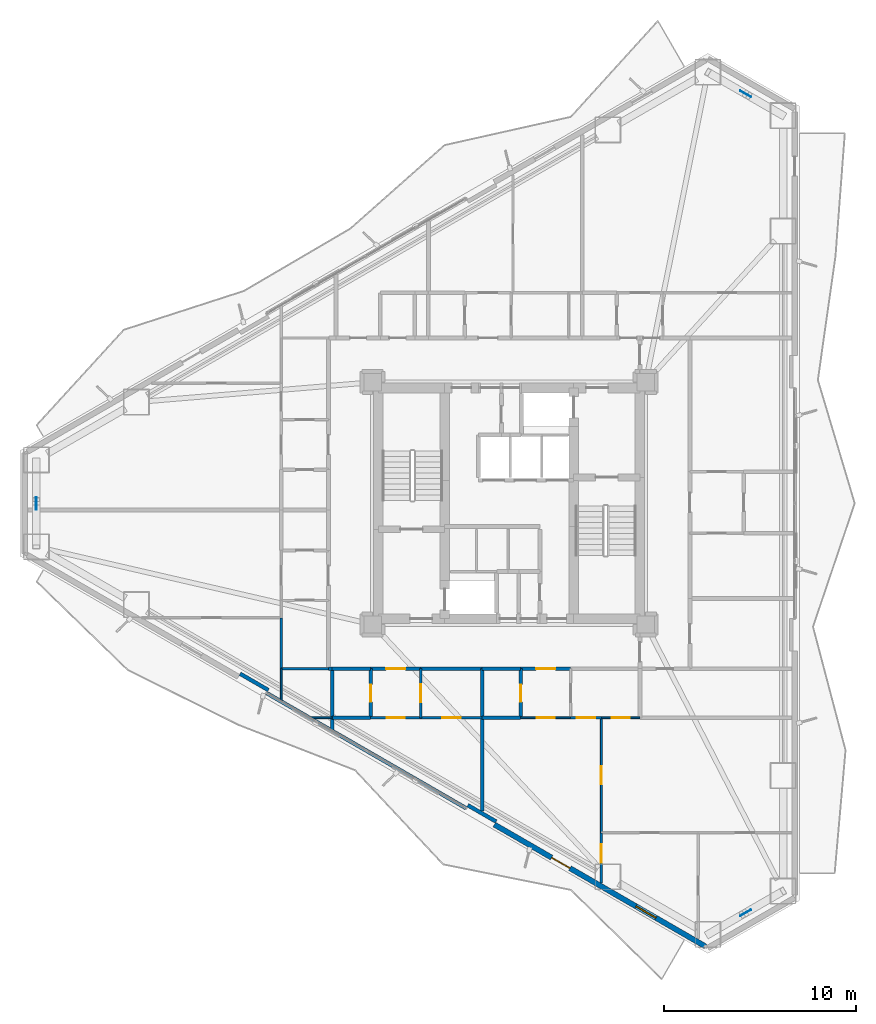
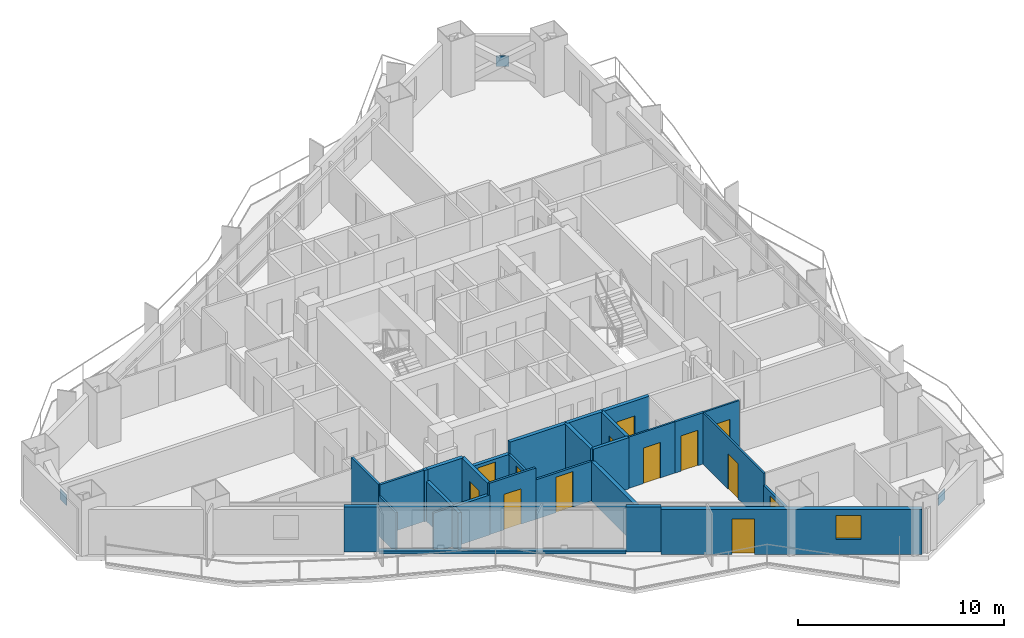
# One storey, part 11 of 18: 29 walls, 13 doors, 3 plates, 1 window, 14 openings.
"""IFC4 building model written with IfcOpenShell, lengths in metres."""

from ifc_helpers import new_model, si_unit, direction, frame, frame_2d, origin, origin_2d, place, context, subcontext, project, spatial, rectangle, extrude, material, layer, layer_set, type_object, element, fill, save


model = new_model("IFC4")

# Units and contexts
model_context = context("Model", 3, precision=1e-05, world=origin(), true_north=direction((0.0, 1.0)))
body_context = subcontext(model_context, "Body", "Model", "MODEL_VIEW")
ifc_project = project(units=[si_unit("LENGTHUNIT", "METRE"), si_unit("AREAUNIT", "SQUARE_METRE"), si_unit("VOLUMEUNIT", "CUBIC_METRE"), si_unit("PLANEANGLEUNIT", "RADIAN"), si_unit("MASSUNIT", "GRAM", prefix="KILO")], contexts=[model_context])

# Site, building, storey
site_placement = place(None, origin())
site = spatial("IfcSite", under=ifc_project, at=site_placement, CompositionType="ELEMENT")
building_placement = place(site_placement, origin())
building = spatial("IfcBuilding", under=site, at=building_placement, Name="Mersakhor Tower and Convention Hall", CompositionType="ELEMENT")
storey_placement = place(building_placement, frame((0.0, 0.0, 52.199951171875)))
storey = spatial("IfcBuildingStorey", under=building, at=storey_placement, Name="L14", CompositionType="ELEMENT", Elevation=52.199951171875)

# Plates
ifc_material_1 = material(Name="Steel S460", Category="steel")
ifc_layer_1 = layer(ifc_material_1, 0.0400390625)
ifc_layer_set_1 = layer_set([ifc_layer_1], Name="Steel S460")
plate_type = type_object("IfcPlateType", Name="PL-GUSSET-40", PredefinedType="SHEET", material=ifc_layer_set_1)
for number, where, z_axis, x_axis, name in (
    (1, (41.29345703125, 48.04296875, 1.2001953125), (0.0, 0.0, 1.0), (-0.866025403784, 0.5, 0.0), "L14 X-Brace Crossing Gusset Node Plate"),
    (2, (41.29345703125, 5.45703125, 1.2001953125), (0.0, 0.0, 1.0), (0.866025403784, 0.5, 0.0), "L14 X-Brace Crossing Gusset Node Plate"),
    (3, (4.4130859375, 26.75, 1.2001953125), (0.0, 0.0, 1.0), (0.0, -1.0, 0.0), "L14 X-Brace Crossing Gusset Node Plate"),
):
    element("IfcPlate", number, at=place(storey_placement, frame(where, z_axis=z_axis, x_axis=x_axis)), inside=storey, type_object=plate_type, Name=name, PredefinedType="SHEET", context=body_context, shape_type="SweptSolid", body=[
        extrude(rectangle(XDim=0.639892578125, YDim=0.0400390625, at=origin_2d()), origin(), (0.0, 0.0, 1.0), 0.639892578125),
    ])

# Wall, openings, door, window
ifc_material_2 = material(Name="Precast concrete C45/55", Category="concrete")
ifc_layer_2 = layer(ifc_material_2, 0.27490234375)
ifc_layer_set_2 = layer_set([ifc_layer_2], Name="Precast concrete C45/55")
wall_type_1 = type_object("IfcWallType", Name="WL-EXT-275", PredefinedType="SOLIDWALL", material=ifc_layer_set_2)
wall_1_placement = place(storey_placement, frame((39.20703125, 3.709716796875, 0.0), z_axis=(0.0, 0.0, 1.0), x_axis=(-0.86603192154, 0.499988710747, 0.0)))
wall_1 = element("IfcWall", 4, at=wall_1_placement, inside=storey, type_object=wall_type_1, Name="L14 Exterior Facade Wall F3-B1", PredefinedType="SOLIDWALL", context=body_context, shape_type="SweptSolid", body=[
    extrude(rectangle(XDim=12.673095703125, YDim=0.27490234375, at=frame_2d((6.33642578125, 0.0))), origin(), (0.0, 0.0, 1.0), 2.66015625),
])
opening_1_placement = place(wall_1_placement, frame((8.135986328125, 0.0, 0.0)))
opening_1 = element("IfcOpeningElement", 5, at=opening_1_placement, cuts=wall_1, Name="Opening BD-02", PredefinedType="OPENING", context=body_context, shape_type="SweptSolid", body=[
    extrude(rectangle(XDim=1.10009765625, YDim=2.10009765625, at=frame_2d((0.550048828125, 1.050048828125))), frame((0.0, 0.1474609375, 0.0), z_axis=(0.0, -1.0, 0.0), x_axis=(1.0, 0.0, 0.0)), (0.0, 0.0, 1.0), 0.294921875),
])
opening_2_placement = place(wall_1_placement, frame((2.970947265625, 0.0, 0.89990234375)))
opening_2 = element("IfcOpeningElement", 6, at=opening_2_placement, cuts=wall_1, Name="Opening W-01", PredefinedType="OPENING", context=body_context, shape_type="SweptSolid", body=[
    extrude(rectangle(XDim=1.199951171875, YDim=1.39990234375, at=frame_2d((0.60009765625, 0.699951171875))), frame((0.0, 0.1474609375, 0.0), z_axis=(0.0, -1.0, 0.0), x_axis=(1.0, 0.0, 0.0)), (0.0, 0.0, 1.0), 0.294921875),
])
ifc_material_3 = material(Name="Thermally broken dark aluminium and safety glass", Category="aluminium")
door_type_1 = type_object("IfcDoorType", Name="DR-BAL-110x210", OperationType="NOTDEFINED", PredefinedType="DOOR", material=ifc_material_3)
door_1_placement = place(opening_1_placement, origin())
door_1 = element("IfcDoor", 7, at=door_1_placement, inside=storey, type_object=door_type_1, Name="L14 Balcony Terrace Door F3-B1", OperationType="SINGLE_SWING_RIGHT", OverallHeight=2.10009765625, OverallWidth=1.10009765625, PredefinedType="DOOR", context=body_context, shape_type="SweptSolid", body=[
    extrude(rectangle(XDim=1.10009765625, YDim=2.10009765625, at=frame_2d((0.550048828125, 1.050048828125))), frame((0.0, 0.02490234375, 0.0), z_axis=(0.0, -1.0, 0.0), x_axis=(1.0, 0.0, 0.0)), (0.0, 0.0, 1.0), 0.050048828125),
])
fill(opening_1, door_1)
ifc_material_4 = material(Name="Dark solar low-E glazed aluminium window", Category="aluminium")
window_type = type_object("IfcWindowType", Name="WN-RES-120x150", PartitioningType="SINGLE_PANEL", PredefinedType="WINDOW", material=ifc_material_4)
window_placement = place(opening_2_placement, origin())
window = element("IfcWindow", 8, at=window_placement, inside=storey, type_object=window_type, Name="L14 Bedroom Facade Window F3-B1-1", OverallHeight=1.39990234375, OverallWidth=1.199951171875, PartitioningType="SINGLE_PANEL", PredefinedType="WINDOW", context=body_context, shape_type="SweptSolid", body=[
    extrude(rectangle(XDim=1.199951171875, YDim=1.39990234375, at=frame_2d((0.60009765625, 0.699951171875))), frame((0.0, 0.030029296875, 0.0), z_axis=(0.0, -1.0, 0.0), x_axis=(1.0, 0.0, 0.0)), (0.0, 0.0, 1.0), 0.06005859375),
])
fill(opening_2, window)

# Walls
ifc_material_5 = material(Name="Precast concrete C40/50", Category="concrete")
ifc_layer_3 = layer(ifc_material_5, 0.199951171875)
ifc_layer_set_3 = layer_set([ifc_layer_3], Name="Precast concrete C40/50")
wall_type_2 = type_object("IfcWallType", Name="WL-PAR-200", PredefinedType="PARAPET", material=ifc_layer_set_3)
wall_2_placement = place(storey_placement, frame((26.759521484375, 10.896240234375, 0.0), z_axis=(0.0, 0.0, 1.0), x_axis=(-0.866027351828, 0.499996625875, 0.0)))
element("IfcWall", 9, at=wall_2_placement, inside=storey, type_object=wall_type_2, Name="L14 Curtain Wall Upstand Sill F3-B2", PredefinedType="PARAPET", context=body_context, shape_type="SweptSolid", body=[
    extrude(rectangle(XDim=11.97314453125, YDim=0.199951171875, at=frame_2d((5.986572265625, 0.0))), origin(), (0.0, 0.0, 1.0), 0.199951171875),
])
for number, where, z_axis, x_axis, name in (
    (10, (28.32177734375, 10.2021484375, 0.0), (0.0, 0.0, 1.0), (-0.86605165483, 0.499954529098, 0.0), "L14 Column Pier Cladding Wall F3-C1"),
    (11, (16.48046875, 17.038818359375, 0.0), (0.0, 0.0, 1.0), (-0.86605165483, 0.499954529098, 0.0), "L14 Column Pier Cladding Wall F3-C2"),
):
    element("IfcWall", number, at=place(storey_placement, frame(where, z_axis=z_axis, x_axis=x_axis)), inside=storey, type_object=wall_type_2, Name=name, PredefinedType="PARAPET", context=body_context, shape_type="SweptSolid", body=[
        extrude(rectangle(XDim=1.699951171875, YDim=0.199951171875, at=frame_2d((0.85009765625, 0.0))), origin(), (0.0, 0.0, 1.0), 2.66015625),
    ])

# Wall, opening, door
ifc_material_6 = material(Name="Moisture-resistant acoustic drywall studwork", Category="other")
ifc_layer_4 = layer(ifc_material_6, 0.175048828125)
ifc_layer_set_4 = layer_set([ifc_layer_4], Name="Moisture-resistant acoustic drywall studwork")
wall_type_3 = type_object("IfcWallType", Name="WL-PLM-175", PredefinedType="PLUMBINGWALL", material=ifc_layer_set_4)
wall_3_placement = place(storey_placement, frame((21.800048828125, 15.60009765625, 0.0), z_axis=(0.0, 0.0, 1.0), x_axis=(0.0, 1.0, 0.0)))
wall_3 = element("IfcWall", 12, at=wall_3_placement, inside=storey, type_object=wall_type_3, Name="L14 Interior Partition Wall P-078", PredefinedType="PLUMBINGWALL", context=body_context, shape_type="SweptSolid", body=[
    extrude(rectangle(XDim=2.5498046875, YDim=0.175048828125, at=frame_2d((1.27490234375, 0.0))), origin(), (0.0, 0.0, 1.0), 3.0400390625),
])
opening_3_placement = place(wall_3_placement, frame((0.824951171875, 0.0, 0.0)))
opening_3 = element("IfcOpeningElement", 13, at=opening_3_placement, cuts=wall_3, Name="Opening WD-01", PredefinedType="OPENING", context=body_context, shape_type="SweptSolid", body=[
    extrude(rectangle(XDim=0.89990234375, YDim=2.10009765625, at=frame_2d((0.449951171875, 1.050048828125))), frame((0.0, 0.097412109375, 0.0), z_axis=(0.0, -1.0, 0.0), x_axis=(1.0, 0.0, 0.0)), (0.0, 0.0, 1.0), 0.195068359375),
])
ifc_material_7 = material(Name="Solid-core hardwood leaf in painted steel frame", Category="steel")
door_type_2 = type_object("IfcDoorType", Name="DR-INT-WET-090x210", OperationType="NOTDEFINED", PredefinedType="DOOR", material=ifc_material_7)
door_2_placement = place(opening_3_placement, origin())
door_2 = element("IfcDoor", 14, at=door_2_placement, inside=storey, type_object=door_type_2, Name="L14 L14 Flat S4 Apartment Hall to L14 Flat S4 Bathroom Door", OperationType="SINGLE_SWING_RIGHT", OverallHeight=2.10009765625, OverallWidth=0.89990234375, PredefinedType="DOOR", context=body_context, shape_type="SweptSolid", body=[
    extrude(rectangle(XDim=0.89990234375, YDim=2.10009765625, at=frame_2d((0.449951171875, 1.050048828125))), frame((0.0, 0.02490234375, 0.0), z_axis=(0.0, -1.0, 0.0), x_axis=(1.0, 0.0, 0.0)), (0.0, 0.0, 1.0), 0.050048828125),
])
fill(opening_3, door_2)

wall_4_placement = place(storey_placement, frame((29.60009765625, 15.60009765625, 0.0), z_axis=(0.0, 0.0, 1.0), x_axis=(0.0, 1.0, 0.0)))
wall_4 = element("IfcWall", 15, at=wall_4_placement, inside=storey, type_object=wall_type_3, Name="L14 Interior Partition Wall P-081", PredefinedType="PLUMBINGWALL", context=body_context, shape_type="SweptSolid", body=[
    extrude(rectangle(XDim=2.5498046875, YDim=0.175048828125, at=frame_2d((1.27490234375, 0.0))), origin(), (0.0, 0.0, 1.0), 3.0400390625),
])
opening_4_placement = place(wall_4_placement, frame((0.824951171875, 0.0, 0.0)))
opening_4 = element("IfcOpeningElement", 16, at=opening_4_placement, cuts=wall_4, Name="Opening WD-01", PredefinedType="OPENING", context=body_context, shape_type="SweptSolid", body=[
    extrude(rectangle(XDim=0.89990234375, YDim=2.10009765625, at=frame_2d((0.449951171875, 1.050048828125))), frame((0.0, 0.097412109375, 0.0), z_axis=(0.0, -1.0, 0.0), x_axis=(1.0, 0.0, 0.0)), (0.0, 0.0, 1.0), 0.195068359375),
])
door_3_placement = place(opening_4_placement, origin())
door_3 = element("IfcDoor", 17, at=door_3_placement, inside=storey, type_object=door_type_2, Name="L14 L14 Flat S5 Apartment Hall to L14 Flat S5 Bathroom Door", OperationType="SINGLE_SWING_LEFT", OverallHeight=2.10009765625, OverallWidth=0.89990234375, PredefinedType="DOOR", context=body_context, shape_type="SweptSolid", body=[
    extrude(rectangle(XDim=0.89990234375, YDim=2.10009765625, at=frame_2d((0.449951171875, 1.050048828125))), frame((0.0, 0.02490234375, 0.0), z_axis=(0.0, -1.0, 0.0), x_axis=(1.0, 0.0, 0.0)), (0.0, 0.0, 1.0), 0.050048828125),
])
fill(opening_4, door_3)

# Walls
wall_5_placement = place(storey_placement, frame((21.800048828125, 15.60009765625, 0.0), z_axis=(0.0, 0.0, 1.0), x_axis=(-1.0, 0.0, 0.0)))
element("IfcWall", 18, at=wall_5_placement, inside=storey, type_object=wall_type_3, Name="L14 Interior Partition Wall P-103", PredefinedType="PLUMBINGWALL", context=body_context, shape_type="SweptSolid", body=[
    extrude(rectangle(XDim=2.0, YDim=0.175048828125, at=frame_2d((1.0, 0.0))), origin(), (0.0, 0.0, 1.0), 2.364990234375),
])
wall_6_placement = place(storey_placement, frame((19.800048828125, 14.955810546875, 0.0), z_axis=(0.0, 0.0, 1.0), x_axis=(0.0, 1.0, 0.0)))
element("IfcWall", 19, at=wall_6_placement, inside=storey, type_object=wall_type_3, Name="L14 Interior Partition Wall P-104", PredefinedType="PLUMBINGWALL", context=body_context, shape_type="SweptSolid", body=[
    extrude(rectangle(XDim=3.194091796875, YDim=0.175048828125, at=frame_2d((1.59716796875, 0.0))), origin(), (0.0, 0.0, 1.0), 2.364990234375),
])
wall_7_placement = place(storey_placement, frame((29.60009765625, 15.60009765625, 0.0), z_axis=(0.0, 0.0, 1.0), x_axis=(-1.0, 0.0, 0.0)))
element("IfcWall", 20, at=wall_7_placement, inside=storey, type_object=wall_type_3, Name="L14 Interior Partition Wall P-107", PredefinedType="PLUMBINGWALL", context=body_context, shape_type="SweptSolid", body=[
    extrude(rectangle(XDim=2.0, YDim=0.175048828125, at=frame_2d((1.0, 0.0))), origin(), (0.0, 0.0, 1.0), 3.0400390625),
])

# Wall, opening, door
ifc_material_8 = material(Name="Lightweight gypsum partition", Category="other")
ifc_layer_5 = layer(ifc_material_8, 0.10009765625)
ifc_layer_set_5 = layer_set([ifc_layer_5], Name="Lightweight gypsum partition")
wall_type_4 = type_object("IfcWallType", Name="WL-PRT-100", PredefinedType="PARTITIONING", material=ifc_layer_set_5)
wall_8_placement = place(storey_placement, frame((32.199951171875, 15.60009765625, 0.0), z_axis=(0.0, 0.0, 1.0), x_axis=(-1.0, 0.0, 0.0)))
wall_8 = element("IfcWall", 21, at=wall_8_placement, inside=storey, type_object=wall_type_4, Name="L14 Interior Partition Wall P-080", PredefinedType="PARTITIONING", context=body_context, shape_type="SweptSolid", body=[
    extrude(rectangle(XDim=2.599853515625, YDim=0.10009765625, at=frame_2d((1.2998046875, 0.0))), origin(), (0.0, 0.0, 1.0), 3.0400390625),
])
opening_5_placement = place(wall_8_placement, frame((0.824951171875, 0.0, 0.0)))
opening_5 = element("IfcOpeningElement", 22, at=opening_5_placement, cuts=wall_8, Name="Opening RD-01", PredefinedType="OPENING", context=body_context, shape_type="SweptSolid", body=[
    extrude(rectangle(XDim=0.949951171875, YDim=2.10009765625, at=frame_2d((0.47509765625, 1.050048828125))), frame((0.0, 0.06005859375, 0.0), z_axis=(0.0, -1.0, 0.0), x_axis=(1.0, 0.0, 0.0)), (0.0, 0.0, 1.0), 0.1201171875),
])
ifc_material_9 = material(Name="Solid-core hardwood leaf in painted steel frame", Category="steel")
door_type_3 = type_object("IfcDoorType", Name="DR-INT-RM-095x210", OperationType="NOTDEFINED", PredefinedType="DOOR", material=ifc_material_9)
door_4_placement = place(opening_5_placement, origin())
door_4 = element("IfcDoor", 23, at=door_4_placement, inside=storey, type_object=door_type_3, Name="L14 L14 Flat S5 Apartment Hall to L14 Flat S5 Living and Dining Room Door", OperationType="SINGLE_SWING_LEFT", OverallHeight=2.10009765625, OverallWidth=0.949951171875, PredefinedType="DOOR", context=body_context, shape_type="SweptSolid", body=[
    extrude(rectangle(XDim=0.949951171875, YDim=2.10009765625, at=frame_2d((0.47509765625, 1.050048828125))), frame((0.0, 0.02490234375, 0.0), z_axis=(0.0, -1.0, 0.0), x_axis=(1.0, 0.0, 0.0)), (0.0, 0.0, 1.0), 0.050048828125),
])
fill(opening_5, door_4)

wall_9_placement = place(storey_placement, frame((35.800048828125, 15.60009765625, 0.0), z_axis=(0.0, 0.0, 1.0), x_axis=(-1.0, 0.0, 0.0)))
wall_9 = element("IfcWall", 24, at=wall_9_placement, inside=storey, type_object=wall_type_4, Name="L14 Interior Partition Wall P-108", PredefinedType="PARTITIONING", context=body_context, shape_type="SweptSolid", body=[
    extrude(rectangle(XDim=2.0, YDim=0.10009765625, at=frame_2d((1.0, 0.0))), origin(), (0.0, 0.0, 1.0), 3.0400390625),
])
opening_6_placement = place(wall_9_placement, frame((0.52490234375, 0.0, 0.0)))
opening_6 = element("IfcOpeningElement", 25, at=opening_6_placement, cuts=wall_9, Name="Opening RD-01", PredefinedType="OPENING", context=body_context, shape_type="SweptSolid", body=[
    extrude(rectangle(XDim=0.949951171875, YDim=2.10009765625, at=frame_2d((0.47509765625, 1.050048828125))), frame((0.0, 0.06005859375, 0.0), z_axis=(0.0, -1.0, 0.0), x_axis=(1.0, 0.0, 0.0)), (0.0, 0.0, 1.0), 0.1201171875),
])
door_5_placement = place(opening_6_placement, origin())
door_5 = element("IfcDoor", 26, at=door_5_placement, inside=storey, type_object=door_type_3, Name="L14 L14 Flat S5 Kitchen to L14 Flat S5 Dining Room Door", OperationType="SINGLE_SWING_RIGHT", OverallHeight=2.10009765625, OverallWidth=0.949951171875, PredefinedType="DOOR", context=body_context, shape_type="SweptSolid", body=[
    extrude(rectangle(XDim=0.949951171875, YDim=2.10009765625, at=frame_2d((0.47509765625, 1.050048828125))), frame((0.0, 0.02490234375, 0.0), z_axis=(0.0, -1.0, 0.0), x_axis=(1.0, 0.0, 0.0)), (0.0, 0.0, 1.0), 0.050048828125),
])
fill(opening_6, door_5)

# Wall
wall_10_placement = place(storey_placement, frame((18.677734375, 15.60009765625, 0.0), z_axis=(0.0, 0.0, 1.0), x_axis=(1.0, 0.0, 0.0)))
element("IfcWall", 27, at=wall_10_placement, inside=storey, type_object=wall_type_4, Name="L14 Interior Partition Wall P-132", PredefinedType="PARTITIONING", context=body_context, shape_type="SweptSolid", body=[
    extrude(rectangle(XDim=1.122314453125, YDim=0.10009765625, at=frame_2d((0.56103515625, 0.0))), origin(), (0.0, 0.0, 1.0), 2.364990234375),
])

# Wall, opening, door
wall_11_placement = place(storey_placement, frame((33.800048828125, 15.60009765625, 0.0), z_axis=(0.0, 0.0, 1.0), x_axis=(0.0, -1.0, 0.0)))
wall_11 = element("IfcWall", 28, at=wall_11_placement, inside=storey, type_object=wall_type_4, Name="L14 Interior Partition Wall P-134", PredefinedType="PARTITIONING", context=body_context, shape_type="SweptSolid", body=[
    extrude(rectangle(XDim=5.97998046875, YDim=0.10009765625, at=frame_2d((2.989990234375, 0.0))), origin(), (0.0, 0.0, 1.0), 3.0400390625),
])
opening_7_placement = place(wall_11_placement, frame((2.514892578125, 0.0, 0.0)))
opening_7 = element("IfcOpeningElement", 29, at=opening_7_placement, cuts=wall_11, Name="Opening RD-01", PredefinedType="OPENING", context=body_context, shape_type="SweptSolid", body=[
    extrude(rectangle(XDim=0.949951171875, YDim=2.10009765625, at=frame_2d((0.47509765625, 1.050048828125))), frame((0.0, 0.06005859375, 0.0), z_axis=(0.0, -1.0, 0.0), x_axis=(1.0, 0.0, 0.0)), (0.0, 0.0, 1.0), 0.1201171875),
])
door_6_placement = place(opening_7_placement, origin())
door_6 = element("IfcDoor", 30, at=door_6_placement, inside=storey, type_object=door_type_3, Name="L14 L14 Flat S5 Living and Dining Room to L14 Flat S5 Dining Room Door", OperationType="SINGLE_SWING_RIGHT", OverallHeight=2.10009765625, OverallWidth=0.949951171875, PredefinedType="DOOR", context=body_context, shape_type="SweptSolid", body=[
    extrude(rectangle(XDim=0.949951171875, YDim=2.10009765625, at=frame_2d((0.47509765625, 1.050048828125))), frame((0.0, 0.02490234375, 0.0), z_axis=(0.0, -1.0, 0.0), x_axis=(1.0, 0.0, 0.0)), (0.0, 0.0, 1.0), 0.050048828125),
])
fill(opening_7, door_6)

# Wall
wall_12_placement = place(storey_placement, frame((17.14990234375, 18.14990234375, 0.0), z_axis=(0.0, 0.0, 1.0), x_axis=(0.0, -1.0, 0.0)))
element("IfcWall", 31, at=wall_12_placement, inside=storey, type_object=wall_type_4, Name="L14 Interior Partition Wall P-146", PredefinedType="PARTITIONING", context=body_context, shape_type="SweptSolid", body=[
    extrude(rectangle(XDim=1.6640625, YDim=0.10009765625, at=frame_2d((0.83203125, 0.0))), origin(), (0.0, 0.0, 1.0), 2.364990234375),
])

# Wall, opening, door
ifc_material_10 = material(Name="Gypsum board acoustic partition", Category="other")
ifc_layer_6 = layer(ifc_material_10, 0.125)
ifc_layer_set_6 = layer_set([ifc_layer_6], Name="Gypsum board acoustic partition")
wall_type_5 = type_object("IfcWallType", Name="WL-PRT-125", PredefinedType="PARTITIONING", material=ifc_layer_set_6)
wall_13_placement = place(storey_placement, frame((24.39990234375, 15.60009765625, 0.0), z_axis=(0.0, 0.0, 1.0), x_axis=(-1.0, 0.0, 0.0)))
wall_13 = element("IfcWall", 32, at=wall_13_placement, inside=storey, type_object=wall_type_5, Name="L14 Interior Partition Wall P-077", PredefinedType="PARTITIONING", context=body_context, shape_type="SweptSolid", body=[
    extrude(rectangle(XDim=2.599853515625, YDim=0.125, at=frame_2d((1.2998046875, 0.0))), origin(), (0.0, 0.0, 1.0), 3.0400390625),
])
opening_8_placement = place(wall_13_placement, frame((0.824951171875, 0.0, 0.0)))
opening_8 = element("IfcOpeningElement", 33, at=opening_8_placement, cuts=wall_13, Name="Opening RD-01", PredefinedType="OPENING", context=body_context, shape_type="SweptSolid", body=[
    extrude(rectangle(XDim=0.949951171875, YDim=2.10009765625, at=frame_2d((0.47509765625, 1.050048828125))), frame((0.0, 0.072509765625, 0.0), z_axis=(0.0, -1.0, 0.0), x_axis=(1.0, 0.0, 0.0)), (0.0, 0.0, 1.0), 0.14501953125),
])
door_7_placement = place(opening_8_placement, origin())
door_7 = element("IfcDoor", 34, at=door_7_placement, inside=storey, type_object=door_type_3, Name="L14 L14 Flat S4 Apartment Hall to L14 Flat S4 Studio Living and Sleeping Room Door", OperationType="SINGLE_SWING_RIGHT", OverallHeight=2.10009765625, OverallWidth=0.949951171875, PredefinedType="DOOR", context=body_context, shape_type="SweptSolid", body=[
    extrude(rectangle(XDim=0.949951171875, YDim=2.10009765625, at=frame_2d((0.47509765625, 1.050048828125))), frame((0.0, 0.02490234375, 0.0), z_axis=(0.0, -1.0, 0.0), x_axis=(1.0, 0.0, 0.0)), (0.0, 0.0, 1.0), 0.050048828125),
])
fill(opening_8, door_7)

wall_14_placement = place(storey_placement, frame((24.39990234375, 18.14990234375, 0.0), z_axis=(0.0, 0.0, 1.0), x_axis=(0.0, -1.0, 0.0)))
wall_14 = element("IfcWall", 35, at=wall_14_placement, inside=storey, type_object=wall_type_5, Name="L14 Interior Partition Wall P-079", PredefinedType="PARTITIONING", context=body_context, shape_type="SweptSolid", body=[
    extrude(rectangle(XDim=2.5498046875, YDim=0.125, at=frame_2d((1.27490234375, 0.0))), origin(), (0.0, 0.0, 1.0), 2.337646484375),
])
opening_9_placement = place(wall_14_placement, frame((0.800048828125, 0.0, 0.0)))
opening_9 = element("IfcOpeningElement", 36, at=opening_9_placement, cuts=wall_14, Name="Opening RD-01", PredefinedType="OPENING", context=body_context, shape_type="SweptSolid", body=[
    extrude(rectangle(XDim=0.949951171875, YDim=2.10009765625, at=frame_2d((0.47509765625, 1.050048828125))), frame((0.0, 0.072509765625, 0.0), z_axis=(0.0, -1.0, 0.0), x_axis=(1.0, 0.0, 0.0)), (0.0, 0.0, 1.0), 0.14501953125),
])
door_8_placement = place(opening_9_placement, origin())
door_8 = element("IfcDoor", 37, at=door_8_placement, inside=storey, type_object=door_type_3, Name="L14 L14 Flat S4 Apartment Hall to L14 Flat S4 Kitchen Door", OperationType="SINGLE_SWING_LEFT", OverallHeight=2.10009765625, OverallWidth=0.949951171875, PredefinedType="DOOR", context=body_context, shape_type="SweptSolid", body=[
    extrude(rectangle(XDim=0.949951171875, YDim=2.10009765625, at=frame_2d((0.47509765625, 1.050048828125))), frame((0.0, 0.02490234375, 0.0), z_axis=(0.0, -1.0, 0.0), x_axis=(1.0, 0.0, 0.0)), (0.0, 0.0, 1.0), 0.050048828125),
])
fill(opening_9, door_8)

wall_15_placement = place(storey_placement, frame((27.60009765625, 15.60009765625, 0.0), z_axis=(0.0, 0.0, 1.0), x_axis=(-1.0, 0.0, 0.0)))
wall_15 = element("IfcWall", 38, at=wall_15_placement, inside=storey, type_object=wall_type_5, Name="L14 Interior Partition Wall P-105", PredefinedType="PARTITIONING", context=body_context, shape_type="SweptSolid", body=[
    extrude(rectangle(XDim=3.2001953125, YDim=0.125, at=frame_2d((1.60009765625, 0.0))), origin(), (0.0, 0.0, 1.0), 2.337646484375),
])
opening_10_placement = place(wall_15_placement, frame((1.125, 0.0, 0.0)))
opening_10 = element("IfcOpeningElement", 39, at=opening_10_placement, cuts=wall_15, Name="Opening RD-01", PredefinedType="OPENING", context=body_context, shape_type="SweptSolid", body=[
    extrude(rectangle(XDim=0.949951171875, YDim=2.10009765625, at=frame_2d((0.47509765625, 1.050048828125))), frame((0.0, 0.072509765625, 0.0), z_axis=(0.0, -1.0, 0.0), x_axis=(1.0, 0.0, 0.0)), (0.0, 0.0, 1.0), 0.14501953125),
])
door_9_placement = place(opening_10_placement, origin())
door_9 = element("IfcDoor", 40, at=door_9_placement, inside=storey, type_object=door_type_3, Name="L14 L14 Flat S4 Kitchen to L14 Flat S4 Studio Living and Sleeping Room Door", OperationType="SINGLE_SWING_RIGHT", OverallHeight=2.10009765625, OverallWidth=0.949951171875, PredefinedType="DOOR", context=body_context, shape_type="SweptSolid", body=[
    extrude(rectangle(XDim=0.949951171875, YDim=2.10009765625, at=frame_2d((0.47509765625, 1.050048828125))), frame((0.0, 0.02490234375, 0.0), z_axis=(0.0, -1.0, 0.0), x_axis=(1.0, 0.0, 0.0)), (0.0, 0.0, 1.0), 0.050048828125),
])
fill(opening_10, door_9)

wall_16_placement = place(storey_placement, frame((33.800048828125, 15.60009765625, 0.0), z_axis=(0.0, 0.0, 1.0), x_axis=(-1.0, 0.0, 0.0)))
wall_16 = element("IfcWall", 41, at=wall_16_placement, inside=storey, type_object=wall_type_5, Name="L14 Interior Partition Wall P-109", PredefinedType="PARTITIONING", context=body_context, shape_type="SweptSolid", body=[
    extrude(rectangle(XDim=1.60009765625, YDim=0.125, at=frame_2d((0.800048828125, 0.0))), origin(), (0.0, 0.0, 1.0), 3.0400390625),
])
opening_11_placement = place(wall_16_placement, frame((0.324951171875, 0.0, 0.0)))
opening_11 = element("IfcOpeningElement", 42, at=opening_11_placement, cuts=wall_16, Name="Opening RD-01", PredefinedType="OPENING", context=body_context, shape_type="SweptSolid", body=[
    extrude(rectangle(XDim=0.949951171875, YDim=2.10009765625, at=frame_2d((0.47509765625, 1.050048828125))), frame((0.0, 0.072509765625, 0.0), z_axis=(0.0, -1.0, 0.0), x_axis=(1.0, 0.0, 0.0)), (0.0, 0.0, 1.0), 0.14501953125),
])
door_10_placement = place(opening_11_placement, origin())
door_10 = element("IfcDoor", 43, at=door_10_placement, inside=storey, type_object=door_type_3, Name="L14 L14 Flat S5 Kitchen to L14 Flat S5 Living and Dining Room Door", OperationType="SINGLE_SWING_LEFT", OverallHeight=2.10009765625, OverallWidth=0.949951171875, PredefinedType="DOOR", context=body_context, shape_type="SweptSolid", body=[
    extrude(rectangle(XDim=0.949951171875, YDim=2.10009765625, at=frame_2d((0.47509765625, 1.050048828125))), frame((0.0, 0.02490234375, 0.0), z_axis=(0.0, -1.0, 0.0), x_axis=(1.0, 0.0, 0.0)), (0.0, 0.0, 1.0), 0.050048828125),
])
fill(opening_11, door_10)

# Walls
wall_17_placement = place(storey_placement, frame((17.14990234375, 18.14990234375, 0.0), z_axis=(0.0, 0.0, 1.0), x_axis=(0.0, 1.0, 0.0)))
element("IfcWall", 44, at=wall_17_placement, inside=storey, type_object=wall_type_5, Name="L14 Interior Partition Wall P-117", PredefinedType="PARTITIONING", context=body_context, shape_type="SweptSolid", body=[
    extrude(rectangle(XDim=2.650146484375, YDim=0.125, at=frame_2d((1.3251953125, 0.0))), origin(), (0.0, 0.0, 1.0), 3.0400390625),
])
wall_18_placement = place(storey_placement, frame((19.60009765625, 18.14990234375, 0.0), z_axis=(0.0, 0.0, 1.0), x_axis=(-1.0, 0.0, 0.0)))
element("IfcWall", 45, at=wall_18_placement, inside=storey, type_object=wall_type_5, Name="L14 Interior Partition Wall P-119", PredefinedType="PARTITIONING", context=body_context, shape_type="SweptSolid", body=[
    extrude(rectangle(XDim=2.4501953125, YDim=0.125, at=frame_2d((1.22509765625, 0.0))), origin(), (0.0, 0.0, 1.0), 3.0400390625),
])

# Wall, opening, door
wall_19_placement = place(storey_placement, frame((33.800048828125, 9.6201171875, 0.0), z_axis=(0.0, 0.0, 1.0), x_axis=(0.0, -1.0, 0.0)))
wall_19 = element("IfcWall", 46, at=wall_19_placement, inside=storey, type_object=wall_type_5, Name="L14 Interior Partition Wall P-135", PredefinedType="PARTITIONING", context=body_context, shape_type="SweptSolid", body=[
    extrude(rectangle(XDim=2.602294921875, YDim=0.125, at=frame_2d((1.30126953125, 0.0))), origin(), (0.0, 0.0, 1.0), 2.337646484375),
])
opening_12_placement = place(wall_19_placement, frame((0.602294921875, 0.0, 0.0)))
opening_12 = element("IfcOpeningElement", 47, at=opening_12_placement, cuts=wall_19, Name="Opening RD-01", PredefinedType="OPENING", context=body_context, shape_type="SweptSolid", body=[
    extrude(rectangle(XDim=0.949951171875, YDim=2.10009765625, at=frame_2d((0.47509765625, 1.050048828125))), frame((0.0, 0.072509765625, 0.0), z_axis=(0.0, -1.0, 0.0), x_axis=(1.0, 0.0, 0.0)), (0.0, 0.0, 1.0), 0.14501953125),
])
door_11_placement = place(opening_12_placement, origin())
door_11 = element("IfcDoor", 48, at=door_11_placement, inside=storey, type_object=door_type_3, Name="L14 L14 Flat S5 Living and Dining Room to L14 Flat S5 Bedroom 1 Door", OperationType="SINGLE_SWING_LEFT", OverallHeight=2.10009765625, OverallWidth=0.949951171875, PredefinedType="DOOR", context=body_context, shape_type="SweptSolid", body=[
    extrude(rectangle(XDim=0.949951171875, YDim=2.10009765625, at=frame_2d((0.47509765625, 1.050048828125))), frame((0.0, 0.02490234375, 0.0), z_axis=(0.0, -1.0, 0.0), x_axis=(1.0, 0.0, 0.0)), (0.0, 0.0, 1.0), 0.050048828125),
])
fill(opening_12, door_11)

ifc_material_11 = material(Name="Acoustic concrete blockwork and gypsum board", Category="masonry")
ifc_layer_7 = layer(ifc_material_11, 0.199951171875)
ifc_layer_set_7 = layer_set([ifc_layer_7], Name="Acoustic concrete blockwork and gypsum board")
wall_type_6 = type_object("IfcWallType", Name="WL-PRT-200", PredefinedType="PARTITIONING", material=ifc_layer_set_7)
wall_20_placement = place(storey_placement, frame((32.199951171875, 18.14990234375, 0.0), z_axis=(0.0, 0.0, 1.0), x_axis=(-1.0, 0.0, 0.0)))
wall_20 = element("IfcWall", 49, at=wall_20_placement, inside=storey, type_object=wall_type_6, Name="L14 Interior Partition Wall P-027", PredefinedType="PARTITIONING", context=body_context, shape_type="SweptSolid", body=[
    extrude(rectangle(XDim=2.599853515625, YDim=0.199951171875, at=frame_2d((1.2998046875, 0.0))), origin(), (0.0, 0.0, 1.0), 3.0400390625),
])
opening_13_placement = place(wall_20_placement, frame((0.800048828125, 0.0, 0.0)))
opening_13 = element("IfcOpeningElement", 50, at=opening_13_placement, cuts=wall_20, Name="Opening FD-01", PredefinedType="OPENING", context=body_context, shape_type="SweptSolid", body=[
    extrude(rectangle(XDim=1.0, YDim=2.14990234375, at=frame_2d((0.5, 1.074951171875))), frame((0.0, 0.10986328125, 0.0), z_axis=(0.0, -1.0, 0.0), x_axis=(1.0, 0.0, 0.0)), (0.0, 0.0, 1.0), 0.219970703125),
])
ifc_material_12 = material(Name="Fire-rated hardwood leaf and painted steel frame", Category="steel")
door_type_4 = type_object("IfcDoorType", Name="DR-INT-FLT-100x215", OperationType="NOTDEFINED", PredefinedType="DOOR", material=ifc_material_12)
door_12_placement = place(opening_13_placement, origin())
door_12 = element("IfcDoor", 51, at=door_12_placement, inside=storey, type_object=door_type_4, Name="L14 Apartment Entrance Door (Residential Ring Corridor to L14 Flat S5 Apartment Hall)", OperationType="SINGLE_SWING_RIGHT", OverallHeight=2.14990234375, OverallWidth=1.0, PredefinedType="DOOR", context=body_context, shape_type="SweptSolid", body=[
    extrude(rectangle(XDim=1.0, YDim=2.14990234375, at=frame_2d((0.5, 1.074951171875))), frame((0.0, 0.02490234375, 0.0), z_axis=(0.0, -1.0, 0.0), x_axis=(1.0, 0.0, 0.0)), (0.0, 0.0, 1.0), 0.050048828125),
])
fill(opening_13, door_12)

# Walls
wall_21_placement = place(storey_placement, frame((29.60009765625, 18.14990234375, 0.0), z_axis=(0.0, 0.0, 1.0), x_axis=(-1.0, 0.0, 0.0)))
element("IfcWall", 52, at=wall_21_placement, inside=storey, type_object=wall_type_6, Name="L14 Interior Partition Wall P-028", PredefinedType="PARTITIONING", context=body_context, shape_type="SweptSolid", body=[
    extrude(rectangle(XDim=2.0, YDim=0.199951171875, at=frame_2d((1.0, 0.0))), origin(), (0.0, 0.0, 1.0), 3.0400390625),
])
wall_22_placement = place(storey_placement, frame((27.60009765625, 18.14990234375, 0.0), z_axis=(0.0, 0.0, 1.0), x_axis=(-1.0, 0.0, 0.0)))
element("IfcWall", 53, at=wall_22_placement, inside=storey, type_object=wall_type_6, Name="L14 Interior Partition Wall P-029", PredefinedType="PARTITIONING", context=body_context, shape_type="SweptSolid", body=[
    extrude(rectangle(XDim=3.2001953125, YDim=0.199951171875, at=frame_2d((1.60009765625, 0.0))), origin(), (0.0, 0.0, 1.0), 3.0400390625),
])

# Wall, opening, door
wall_23_placement = place(storey_placement, frame((24.39990234375, 18.14990234375, 0.0), z_axis=(0.0, 0.0, 1.0), x_axis=(-1.0, 0.0, 0.0)))
wall_23 = element("IfcWall", 54, at=wall_23_placement, inside=storey, type_object=wall_type_6, Name="L14 Interior Partition Wall P-030", PredefinedType="PARTITIONING", context=body_context, shape_type="SweptSolid", body=[
    extrude(rectangle(XDim=2.599853515625, YDim=0.199951171875, at=frame_2d((1.2998046875, 0.0))), origin(), (0.0, 0.0, 1.0), 2.337646484375),
])
opening_14_placement = place(wall_23_placement, frame((0.800048828125, 0.0, 0.0)))
opening_14 = element("IfcOpeningElement", 55, at=opening_14_placement, cuts=wall_23, Name="Opening FD-01", PredefinedType="OPENING", context=body_context, shape_type="SweptSolid", body=[
    extrude(rectangle(XDim=1.0, YDim=2.14990234375, at=frame_2d((0.5, 1.074951171875))), frame((0.0, 0.10986328125, 0.0), z_axis=(0.0, -1.0, 0.0), x_axis=(1.0, 0.0, 0.0)), (0.0, 0.0, 1.0), 0.219970703125),
])
door_13_placement = place(opening_14_placement, origin())
door_13 = element("IfcDoor", 56, at=door_13_placement, inside=storey, type_object=door_type_4, Name="L14 Apartment Entrance Door (Residential Ring Corridor to L14 Flat S4 Apartment Hall)", OperationType="SINGLE_SWING_LEFT", OverallHeight=2.14990234375, OverallWidth=1.0, PredefinedType="DOOR", context=body_context, shape_type="SweptSolid", body=[
    extrude(rectangle(XDim=1.0, YDim=2.14990234375, at=frame_2d((0.5, 1.074951171875))), frame((0.0, 0.02490234375, 0.0), z_axis=(0.0, -1.0, 0.0), x_axis=(1.0, 0.0, 0.0)), (0.0, 0.0, 1.0), 0.050048828125),
])
fill(opening_14, door_13)

# Walls
wall_24_placement = place(storey_placement, frame((21.800048828125, 18.14990234375, 0.0), z_axis=(0.0, 0.0, 1.0), x_axis=(-1.0, 0.0, 0.0)))
element("IfcWall", 57, at=wall_24_placement, inside=storey, type_object=wall_type_6, Name="L14 Interior Partition Wall P-031", PredefinedType="PARTITIONING", context=body_context, shape_type="SweptSolid", body=[
    extrude(rectangle(XDim=2.0, YDim=0.199951171875, at=frame_2d((1.0, 0.0))), origin(), (0.0, 0.0, 1.0), 3.0400390625),
])
wall_25_placement = place(storey_placement, frame((19.800048828125, 18.14990234375, 0.0), z_axis=(0.0, 0.0, 1.0), x_axis=(-1.0, 0.0, 0.0)))
element("IfcWall", 58, at=wall_25_placement, inside=storey, type_object=wall_type_6, Name="L14 Interior Partition Wall P-032", PredefinedType="PARTITIONING", context=body_context, shape_type="SweptSolid", body=[
    extrude(rectangle(XDim=0.199951171875, YDim=0.199951171875, at=frame_2d((0.10009765625, 0.0))), origin(), (0.0, 0.0, 1.0), 3.0400390625),
])
wall_26_placement = place(storey_placement, frame((27.60009765625, 18.14990234375, 0.0), z_axis=(0.0, 0.0, 1.0), x_axis=(0.0, -1.0, 0.0)))
element("IfcWall", 59, at=wall_26_placement, inside=storey, type_object=wall_type_6, Name="L14 Interior Partition Wall P-106", PredefinedType="PARTITIONING", context=body_context, shape_type="SweptSolid", body=[
    extrude(rectangle(XDim=2.5498046875, YDim=0.199951171875, at=frame_2d((1.27490234375, 0.0))), origin(), (0.0, 0.0, 1.0), 3.0400390625),
])
wall_27_placement = place(storey_placement, frame((27.60009765625, 15.60009765625, 0.0), z_axis=(0.0, 0.0, 1.0), x_axis=(0.0, -1.0, 0.0)))
element("IfcWall", 60, at=wall_27_placement, inside=storey, type_object=wall_type_6, Name="L14 Interior Partition Wall P-133", PredefinedType="PARTITIONING", context=body_context, shape_type="SweptSolid", body=[
    extrude(rectangle(XDim=4.838134765625, YDim=0.199951171875, at=frame_2d((2.4189453125, 0.0))), origin(), (0.0, 0.0, 1.0), 2.337646484375),
])

save(model, "model.ifc")
